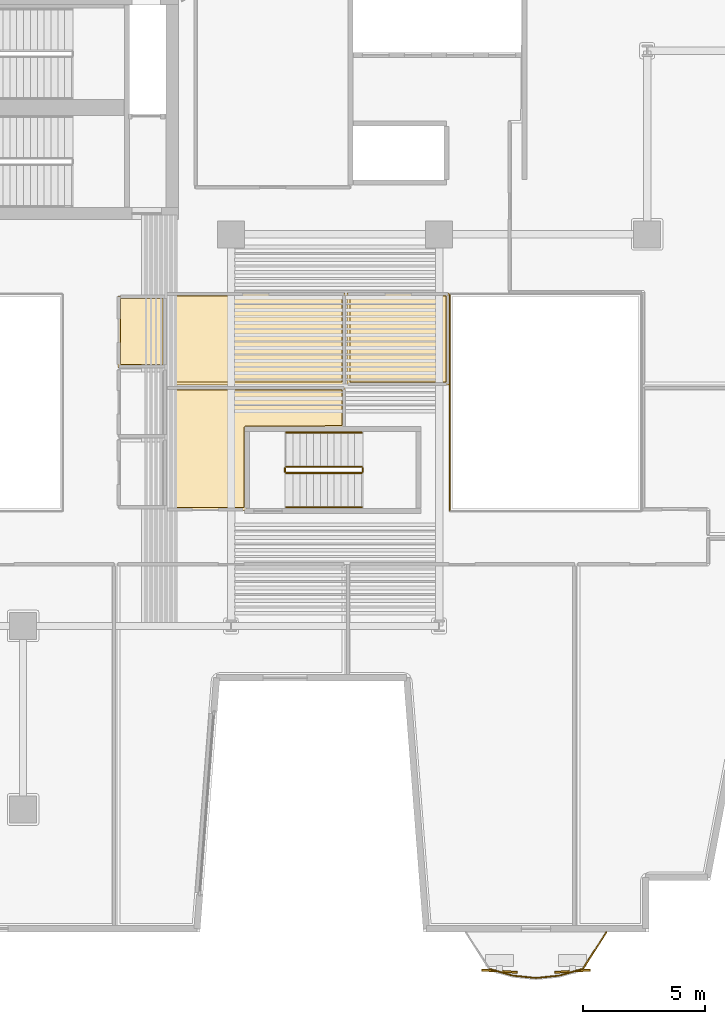
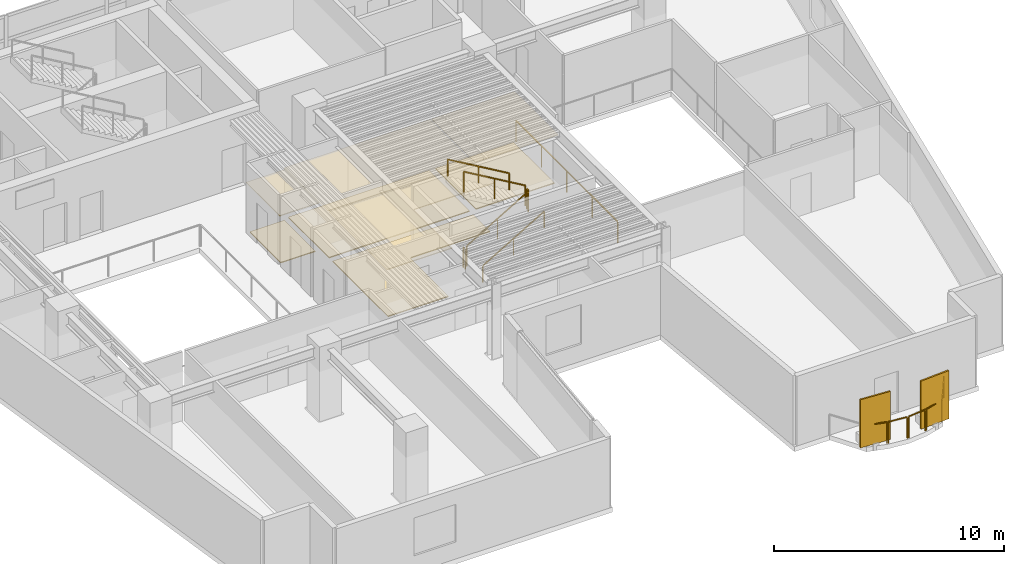
# One storey, part 10 of 13: 12 railings, 8 coverings, 2 shading devices.
"""IFC4 building model written with IfcOpenShell, lengths in metres."""

from ifc_helpers import new_model, si_unit, direction, frame, origin, origin_2d, place, context, subcontext, project, spatial, polyline, rectangle, outline, extrude, material, layer, layer_set, type_object, element, save


model = new_model("IFC4")

# Units and contexts
model_context = context("Model", 3, precision=1e-05, world=origin(), true_north=direction((0.0, 1.0)))
body_context = subcontext(model_context, "Body", "Model", "MODEL_VIEW")
ifc_project = project(units=[si_unit("LENGTHUNIT", "METRE"), si_unit("AREAUNIT", "SQUARE_METRE"), si_unit("VOLUMEUNIT", "CUBIC_METRE"), si_unit("PLANEANGLEUNIT", "RADIAN"), si_unit("MASSUNIT", "GRAM", prefix="KILO")], contexts=[model_context])

# Site, building, storey
site_placement = place(None, origin())
site = spatial("IfcSite", under=ifc_project, at=site_placement, CompositionType="ELEMENT")
building_placement = place(site_placement, origin())
building = spatial("IfcBuilding", under=site, at=building_placement, Name="Caeloran Harvest Quay", CompositionType="ELEMENT")
storey_placement = place(building_placement, frame((0.0, 0.0, 166.699951171875)))
storey = spatial("IfcBuildingStorey", under=building, at=storey_placement, Name="L39", CompositionType="ELEMENT", Elevation=166.699951171875)

# Coverings
ifc_material_1 = material(Name="Perforated Mineral-Fibre Acoustic Ceiling Tile", Category="ceiling")
ifc_layer_1 = layer(ifc_material_1, 0.0400390625, Name="Perforated Mineral-Fibre Acoustic Ceiling Tile")
ifc_layer_set_1 = layer_set([ifc_layer_1], Name="Perforated Mineral-Fibre Acoustic Ceiling Tile")
covering_type_1 = type_object("IfcCoveringType", Name="COV-CEILING-ACOUSTIC", PredefinedType="CEILING", material=ifc_layer_set_1)
covering_1_placement = place(storey_placement, frame((0.0, 0.0, 2.60009765625)))
element("IfcCovering", 1, at=covering_1_placement, inside=storey, type_object=covering_type_1, Name="L39 Male Washroom WC Acoustic Ceiling", PredefinedType="CEILING", context=body_context, shape_type="SweptSolid", body=[
    extrude(outline(polyline([(22.840087890625, 25.56005859375), (20.8701171875, 25.56005859375), (20.8701171875, 28.489990234375), (22.840087890625, 28.489990234375), (22.840087890625, 25.56005859375)])), origin(), (0.0, 0.0, 1.0), 0.0400390625),
])
covering_2_placement = place(storey_placement, frame((0.0, 0.0, 2.60009765625)))
element("IfcCovering", 2, at=covering_2_placement, inside=storey, type_object=covering_type_1, Name="Agro-Finance Summit Conference Hall 8 Acoustic Ceiling", PredefinedType="CEILING", context=body_context, shape_type="SweptSolid", body=[
    extrude(outline(polyline([(26.139892578125, 23.06005859375), (26.139892578125, 19.7099609375), (22.8701171875, 19.7099609375), (22.8701171875, 24.760009765625), (30.159912109375, 24.760009765625), (30.159912109375, 23.06005859375), (26.139892578125, 23.06005859375)])), origin(), (0.0, 0.0, 1.0), 0.0400390625),
])
covering_3_placement = place(storey_placement, frame((0.0, 0.0, 2.60009765625)))
element("IfcCovering", 3, at=covering_3_placement, inside=storey, type_object=covering_type_1, Name="Carbon Credit Seminar Room 9 Acoustic Ceiling", PredefinedType="CEILING", context=body_context, shape_type="SweptSolid", body=[
    extrude(outline(polyline([(22.8701171875, 28.512939453125), (22.85009765625, 28.52001953125), (22.85009765625, 28.610107421875), (30.159912109375, 28.610107421875), (30.159912109375, 24.840087890625), (22.8701171875, 24.840087890625), (22.8701171875, 28.512939453125)])), origin(), (0.0, 0.0, 1.0), 0.0400390625),
])
covering_4_placement = place(storey_placement, frame((0.0, 0.0, 2.60009765625)))
element("IfcCovering", 4, at=covering_4_placement, inside=storey, type_object=covering_type_1, Name="Commodities Briefing Boardroom 10 Acoustic Ceiling", PredefinedType="CEILING", context=body_context, shape_type="SweptSolid", body=[
    extrude(outline(polyline([(30.239990234375, 28.610107421875), (34.409912109375, 28.610107421875), (34.409912109375, 24.840087890625), (30.239990234375, 24.840087890625), (30.239990234375, 28.610107421875)])), origin(), (0.0, 0.0, 1.0), 0.0400390625),
])
ifc_material_2 = material(Name="Calcium-Sulphate Raised Access Floor and Terrazzo Finish", Category="flooring")
ifc_layer_2 = layer(ifc_material_2, 0.050048828125, Name="Calcium-Sulphate Raised Access Floor and Terrazzo Finish")
ifc_layer_set_2 = layer_set([ifc_layer_2], Name="Calcium-Sulphate Raised Access Floor and Terrazzo Finish")
covering_type_2 = type_object("IfcCoveringType", Name="COV-FLOOR-RAISED", PredefinedType="FLOORING", material=ifc_layer_set_2)
covering_5_placement = place(storey_placement, origin())
element("IfcCovering", 5, at=covering_5_placement, inside=storey, type_object=covering_type_2, Name="L39 Male Washroom WC Raised Finish Flooring", PredefinedType="FLOORING", context=body_context, shape_type="SweptSolid", body=[
    extrude(outline(polyline([(22.719970703125, 25.679931640625), (20.989990234375, 25.679931640625), (20.989990234375, 28.3701171875), (22.719970703125, 28.3701171875), (22.719970703125, 25.679931640625)])), origin(), (0.0, 0.0, 1.0), 0.050048828125),
])
covering_6_placement = place(storey_placement, origin())
element("IfcCovering", 6, at=covering_6_placement, inside=storey, type_object=covering_type_2, Name="Agro-Finance Summit Conference Hall 8 Raised Finish Flooring", PredefinedType="FLOORING", context=body_context, shape_type="SweptSolid", body=[
    extrude(outline(polyline([(26.101806640625, 23.17626953125), (26.04248046875, 23.13671875), (26.02001953125, 23.070068359375), (26.02001953125, 19.830078125), (22.989990234375, 19.830078125), (22.989990234375, 24.639892578125), (30.0400390625, 24.639892578125), (30.0400390625, 23.179931640625), (26.101806640625, 23.17626953125)])), origin(), (0.0, 0.0, 1.0), 0.050048828125),
])
covering_7_placement = place(storey_placement, origin())
element("IfcCovering", 7, at=covering_7_placement, inside=storey, type_object=covering_type_2, Name="Carbon Credit Seminar Room 9 Raised Finish Flooring", PredefinedType="FLOORING", context=body_context, shape_type="SweptSolid", body=[
    extrude(outline(polyline([(22.989990234375, 28.489990234375), (30.0400390625, 28.489990234375), (30.0400390625, 24.9599609375), (22.989990234375, 24.9599609375), (22.989990234375, 28.489990234375)])), origin(), (0.0, 0.0, 1.0), 0.050048828125),
])
covering_8_placement = place(storey_placement, origin())
element("IfcCovering", 8, at=covering_8_placement, inside=storey, type_object=covering_type_2, Name="Commodities Briefing Boardroom 10 Raised Finish Flooring", PredefinedType="FLOORING", context=body_context, shape_type="SweptSolid", body=[
    extrude(outline(polyline([(30.360107421875, 28.489990234375), (34.2900390625, 28.489990234375), (34.2900390625, 24.9599609375), (30.360107421875, 24.9599609375), (30.360107421875, 28.489990234375)])), origin(), (0.0, 0.0, 1.0), 0.050048828125),
])

# Railings
ifc_material_3 = material(Name="Powder-Coated Steel Post and Laminated Glass Guardrail", Category="steel")
ifc_layer_3 = layer(ifc_material_3, 0.06005859375, Name="Powder-Coated Steel Post and Laminated Glass Guardrail")
ifc_layer_set_3 = layer_set([ifc_layer_3], Name="Powder-Coated Steel Post and Laminated Glass Guardrail")
railing_type_1 = type_object("IfcRailingType", Name="GUARD-ATRIUM-1150", PredefinedType="GUARDRAIL", material=ifc_layer_set_3)
railing_1_placement = place(storey_placement, frame((34.429931640625, 28.5380859375, 0.0)))
element("IfcRailing", 9, at=railing_1_placement, inside=storey, type_object=railing_type_1, Name="L39 East Botanical Lightwell Guardrail Seg 4", PredefinedType="GUARDRAIL", context=body_context, shape_type="SweptSolid", body=[
    extrude(rectangle(XDim=0.048095703125, YDim=0.048095703125, at=origin_2d()), frame((0.0, 0.0, 1.1259765625), z_axis=(0.0, -1.0, 0.0), x_axis=(1.0, 0.0, 0.0)), (0.0, 0.0, 1.0), 8.826171875),
    extrude(rectangle(XDim=0.0419921875, YDim=0.0419921875, at=origin_2d()), origin(), (0.0, 0.0, 1.0), 1.101806640625),
    extrude(rectangle(XDim=0.0419921875, YDim=0.0419921875, at=origin_2d()), frame((0.0, -2.20654296875, 0.0)), (0.0, 0.0, 1.0), 1.101806640625),
    extrude(rectangle(XDim=0.0419921875, YDim=0.0419921875, at=origin_2d()), frame((0.0, -4.4130859375, 0.0)), (0.0, 0.0, 1.0), 1.101806640625),
    extrude(rectangle(XDim=0.0419921875, YDim=0.0419921875, at=origin_2d()), frame((0.0, -6.61962890625, 0.0)), (0.0, 0.0, 1.0), 1.101806640625),
    extrude(rectangle(XDim=0.0419921875, YDim=0.0419921875, at=origin_2d()), frame((0.0, -8.826171875, 0.0)), (0.0, 0.0, 1.0), 1.101806640625),
])
ifc_material_4 = material(Name="Laminated Safety Glass and Stainless Steel 316", Category="steel")
ifc_layer_4 = layer(ifc_material_4, 0.06005859375, Name="Laminated Safety Glass and Stainless Steel 316")
ifc_layer_set_4 = layer_set([ifc_layer_4], Name="Laminated Safety Glass and Stainless Steel 316")
railing_type_2 = type_object("IfcRailingType", Name="GUARD-BALUSTRADE-1150", PredefinedType="BALUSTRADE", material=ifc_layer_set_4)
railing_2_placement = place(storey_placement, frame((40.825927734375, 2.47998046875, 0.0)))
element("IfcRailing", 10, at=railing_2_placement, inside=storey, type_object=railing_type_2, Name="L39 Planted Balcony Perimeter Balustrade Guard Seg 1", PredefinedType="BALUSTRADE", context=body_context, shape_type="SweptSolid", body=[
    extrude(rectangle(XDim=0.048095703125, YDim=0.048095703125, at=origin_2d()), frame((0.0, 0.0, 1.1259765625), z_axis=(-0.539296460879, -0.842115982085, 0.0), x_axis=(0.842115982085, -0.539296460879, 0.0)), (0.0, 0.0, 1.0), 1.74072265625),
    extrude(rectangle(XDim=0.0419921875, YDim=0.0419921875, at=origin_2d()), origin(), (0.0, 0.0, 1.0), 1.101806640625),
    extrude(rectangle(XDim=0.0419921875, YDim=0.0419921875, at=origin_2d()), frame((-0.938720703125, -1.4658203125, 0.0)), (0.0, 0.0, 1.0), 1.101806640625),
])
railing_3_placement = place(storey_placement, frame((39.839111328125, 0.978515625, 0.0)))
element("IfcRailing", 11, at=railing_3_placement, inside=storey, type_object=railing_type_2, Name="L39 Planted Balcony Perimeter Balustrade Guard Seg 2", PredefinedType="BALUSTRADE", context=body_context, shape_type="SweptSolid", body=[
    extrude(rectangle(XDim=0.048095703125, YDim=0.048095703125, at=origin_2d()), frame((0.0, 0.0, 1.1259765625), z_axis=(-0.961514044301, -0.274755787222, 0.0), x_axis=(0.274755787222, -0.961514044301, 0.0)), (0.0, 0.0, 1.0), 0.930419921875),
    extrude(rectangle(XDim=0.0419921875, YDim=0.0419921875, at=origin_2d()), origin(), (0.0, 0.0, 1.0), 1.101806640625),
    extrude(rectangle(XDim=0.0419921875, YDim=0.0419921875, at=origin_2d()), frame((-0.89453125, -0.255615234375, 0.0)), (0.0, 0.0, 1.0), 1.101806640625),
])
railing_4_placement = place(storey_placement, frame((38.8818359375, 0.7109375, 0.0)))
element("IfcRailing", 12, at=railing_4_placement, inside=storey, type_object=railing_type_2, Name="L39 Planted Balcony Perimeter Balustrade Guard Seg 3", PredefinedType="BALUSTRADE", context=body_context, shape_type="SweptSolid", body=[
    extrude(rectangle(XDim=0.048095703125, YDim=0.048095703125, at=origin_2d()), frame((0.0, 0.0, 1.1259765625), z_axis=(-0.994585653551, -0.103920054611, 0.0), x_axis=(0.103920054611, -0.994585653551, 0.0)), (0.0, 0.0, 1.0), 0.8974609375),
    extrude(rectangle(XDim=0.0419921875, YDim=0.0419921875, at=origin_2d()), origin(), (0.0, 0.0, 1.0), 1.101806640625),
    extrude(rectangle(XDim=0.0419921875, YDim=0.0419921875, at=origin_2d()), frame((-0.892578125, -0.09326171875, 0.0)), (0.0, 0.0, 1.0), 1.101806640625),
])
railing_5_placement = place(storey_placement, frame((37.92578125, 0.61767578125, 0.0)))
element("IfcRailing", 13, at=railing_5_placement, inside=storey, type_object=railing_type_2, Name="L39 Planted Balcony Perimeter Balustrade Guard Seg 4", PredefinedType="BALUSTRADE", context=body_context, shape_type="SweptSolid", body=[
    extrude(rectangle(XDim=0.048095703125, YDim=0.048095703125, at=origin_2d()), frame((0.0, 0.0, 1.1259765625), z_axis=(-0.994585653551, 0.103920054611, 0.0), x_axis=(-0.103920054611, -0.994585653551, 0.0)), (0.0, 0.0, 1.0), 0.8974609375),
    extrude(rectangle(XDim=0.0419921875, YDim=0.0419921875, at=origin_2d()), origin(), (0.0, 0.0, 1.0), 1.101806640625),
    extrude(rectangle(XDim=0.0419921875, YDim=0.0419921875, at=origin_2d()), frame((-0.892578125, 0.09326171875, 0.0)), (0.0, 0.0, 1.0), 1.101806640625),
])
railing_6_placement = place(storey_placement, frame((36.970458984375, 0.722900390625, 0.0)))
element("IfcRailing", 14, at=railing_6_placement, inside=storey, type_object=railing_type_2, Name="L39 Planted Balcony Perimeter Balustrade Guard Seg 5", PredefinedType="BALUSTRADE", context=body_context, shape_type="SweptSolid", body=[
    extrude(rectangle(XDim=0.048095703125, YDim=0.048095703125, at=origin_2d()), frame((0.0, 0.0, 1.1259765625), z_axis=(-0.961514044301, 0.274755787222, 0.0), x_axis=(-0.274755787222, -0.961514044301, 0.0)), (0.0, 0.0, 1.0), 0.930419921875),
    extrude(rectangle(XDim=0.0419921875, YDim=0.0419921875, at=origin_2d()), origin(), (0.0, 0.0, 1.0), 1.101806640625),
    extrude(rectangle(XDim=0.0419921875, YDim=0.0419921875, at=origin_2d()), frame((-0.89453125, 0.255615234375, 0.0)), (0.0, 0.0, 1.0), 1.101806640625),
])

# Shading devices
ifc_material_5 = material(Name="3003-H14 Perforated Powder-Coated Aluminium", Category="aluminium")
shading_device_type = type_object("IfcShadingDeviceType", Name="SHADE-SCREEN-FOLDED", PredefinedType="USERDEFINED", material=ifc_material_5)
for number, where, z_axis, x_axis, name in (
    (15, (39.44921875, 0.8935546875, 0.0751953125), (0.0, 0.0, 1.0), (0.997801468292, 0.0662739004, 0.0), "L39 Folded Facade Breathing Screen 1"),
    (16, (36.4658203125, 0.8935546875, 0.0751953125), (0.0, 0.0, 1.0), (0.997801468292, -0.0662739004, 0.0), "L39 Folded Facade Breathing Screen 2"),
):
    element("IfcShadingDevice", number, at=place(storey_placement, frame(where, z_axis=z_axis, x_axis=x_axis)), inside=storey, type_object=shading_device_type, Name=name, ObjectType="SCREEN", PredefinedType="USERDEFINED", context=body_context, shape_type="SweptSolid", body=[
        extrude(rectangle(XDim=1.449951171875, YDim=0.080078125, at=origin_2d()), origin(), (0.0, 0.0, 1.0), 2.550048828125),
    ])

# Railings
ifc_material_6 = material(Name="Painted Steel Baluster and Top-Rail Stair Guard", Category="steel")
ifc_layer_5 = layer(ifc_material_6, 0.050048828125, Name="Painted Steel Baluster and Top-Rail Stair Guard")
ifc_layer_set_5 = layer_set([ifc_layer_5], Name="Painted Steel Baluster and Top-Rail Stair Guard")
railing_type_3 = type_object("IfcRailingType", Name="STAIR-GUARD-1100", PredefinedType="GUARDRAIL", material=ifc_layer_set_5)
railing_7_placement = place(storey_placement, frame((27.75, 21.25, 0.16455078125)))
element("IfcRailing", 17, at=railing_7_placement, inside=storey, type_object=railing_type_3, Name="L39 ST-W1 stair guard 1", PredefinedType="GUARDRAIL", context=body_context, shape_type="SweptSolid", body=[
    extrude(rectangle(XDim=0.048095703125, YDim=0.048095703125, at=origin_2d()), frame((0.0, 0.0, 1.076171875), z_axis=(0.862088758681, 0.0, 0.506757310905), x_axis=(0.0, 1.0, 0.0)), (0.0, 0.0, 1.0), 3.57275390625),
    extrude(rectangle(XDim=0.0419921875, YDim=0.0419921875, at=origin_2d()), origin(), (0.0, 0.0, 1.0), 1.052001953125),
    extrude(rectangle(XDim=0.0419921875, YDim=0.0419921875, at=origin_2d()), frame((1.5400390625, 0.0, 0.9052734375)), (0.0, 0.0, 1.0), 1.052001953125),
    extrude(rectangle(XDim=0.0419921875, YDim=0.0419921875, at=origin_2d()), frame((3.080078125, 0.0, 1.810546875)), (0.0, 0.0, 1.0), 1.052001953125),
])
railing_8_placement = place(storey_placement, frame((30.8798828125, 21.300048828125, 1.97509765625)))
element("IfcRailing", 18, at=railing_8_placement, inside=storey, type_object=railing_type_3, Name="L39 ST-W1 stair guard 2", PredefinedType="GUARDRAIL", context=body_context, shape_type="SweptSolid", body=[
    extrude(rectangle(XDim=0.048095703125, YDim=0.048095703125, at=origin_2d()), frame((0.0, 0.0, 1.076171875), z_axis=(0.0, 1.0, 0.0), x_axis=(-1.0, 0.0, 0.0)), (0.0, 0.0, 1.0), 0.14990234375),
    extrude(rectangle(XDim=0.0419921875, YDim=0.0419921875, at=origin_2d()), origin(), (0.0, 0.0, 1.0), 1.052001953125),
    extrude(rectangle(XDim=0.0419921875, YDim=0.0419921875, at=origin_2d()), frame((0.0, 0.14990234375, 0.0)), (0.0, 0.0, 1.0), 1.052001953125),
])
railing_9_placement = place(storey_placement, frame((30.830078125, 21.5, 2.1396484375)))
element("IfcRailing", 19, at=railing_9_placement, inside=storey, type_object=railing_type_3, Name="L39 ST-W1 stair guard 3", PredefinedType="GUARDRAIL", context=body_context, shape_type="SweptSolid", body=[
    extrude(rectangle(XDim=0.048095703125, YDim=0.048095703125, at=origin_2d()), frame((0.0, 0.0, 1.076171875), z_axis=(-0.862118610829, 0.0, 0.506706523406), x_axis=(0.0, -1.0, 0.0)), (0.0, 0.0, 1.0), 3.57275390625),
    extrude(rectangle(XDim=0.0419921875, YDim=0.0419921875, at=origin_2d()), origin(), (0.0, 0.0, 1.0), 1.052001953125),
    extrude(rectangle(XDim=0.0419921875, YDim=0.0419921875, at=origin_2d()), frame((-1.5400390625, 0.0, 0.9052734375)), (0.0, 0.0, 1.0), 1.052001953125),
    extrude(rectangle(XDim=0.0419921875, YDim=0.0419921875, at=origin_2d()), frame((-3.080078125, 0.0, 1.810302734375)), (0.0, 0.0, 1.0), 1.052001953125),
])
railing_10_placement = place(storey_placement, frame((27.699951171875, 21.300048828125, 0.0)))
element("IfcRailing", 20, at=railing_10_placement, inside=storey, type_object=railing_type_3, Name="L39 ST-W1 stair guard 4", PredefinedType="GUARDRAIL", context=body_context, shape_type="SweptSolid", body=[
    extrude(rectangle(XDim=0.048095703125, YDim=0.048095703125, at=origin_2d()), frame((0.0, 0.0, 1.076171875), z_axis=(0.0, 1.0, 0.0), x_axis=(-1.0, 0.0, 0.0)), (0.0, 0.0, 1.0), 0.14990234375),
    extrude(rectangle(XDim=0.0419921875, YDim=0.0419921875, at=origin_2d()), origin(), (0.0, 0.0, 1.0), 1.052001953125),
    extrude(rectangle(XDim=0.0419921875, YDim=0.0419921875, at=origin_2d()), frame((0.0, 0.14990234375, 0.0)), (0.0, 0.0, 1.0), 1.052001953125),
])
ifc_material_7 = material(Name="Brushed Stainless Steel Grade 304", Category="steel")
ifc_layer_6 = layer(ifc_material_7, 0.050048828125, Name="Brushed Stainless Steel Grade 304")
ifc_layer_set_6 = layer_set([ifc_layer_6], Name="Brushed Stainless Steel Grade 304")
railing_type_4 = type_object("IfcRailingType", Name="STAIR-HANDRAIL-900", PredefinedType="HANDRAIL", material=ifc_layer_set_6)
railing_11_placement = place(storey_placement, frame((27.75, 19.85009765625, 0.16455078125)))
element("IfcRailing", 21, at=railing_11_placement, inside=storey, type_object=railing_type_4, Name="L39 ST-W1 stair handrail 1", PredefinedType="HANDRAIL", context=body_context, shape_type="SweptSolid", body=[
    extrude(rectangle(XDim=0.048095703125, YDim=0.048095703125, at=origin_2d()), frame((0.0, 0.0, 0.8759765625), z_axis=(0.862088758681, 0.0, 0.506757310905), x_axis=(0.0, 1.0, 0.0)), (0.0, 0.0, 1.0), 3.57275390625),
    extrude(rectangle(XDim=0.0419921875, YDim=0.0419921875, at=origin_2d()), origin(), (0.0, 0.0, 1.0), 0.851806640625),
    extrude(rectangle(XDim=0.0419921875, YDim=0.0419921875, at=origin_2d()), frame((1.5400390625, 0.0, 0.9052734375)), (0.0, 0.0, 1.0), 0.851806640625),
    extrude(rectangle(XDim=0.0419921875, YDim=0.0419921875, at=origin_2d()), frame((3.080078125, 0.0, 1.810546875)), (0.0, 0.0, 1.0), 0.851806640625),
])
railing_12_placement = place(storey_placement, frame((30.830078125, 22.89990234375, 2.1396484375)))
element("IfcRailing", 22, at=railing_12_placement, inside=storey, type_object=railing_type_4, Name="L39 ST-W1 stair handrail 2", PredefinedType="HANDRAIL", context=body_context, shape_type="SweptSolid", body=[
    extrude(rectangle(XDim=0.048095703125, YDim=0.048095703125, at=origin_2d()), frame((0.0, 0.0, 0.8759765625), z_axis=(-0.862118610829, 0.0, 0.506706523406), x_axis=(0.0, -1.0, 0.0)), (0.0, 0.0, 1.0), 3.57275390625),
    extrude(rectangle(XDim=0.0419921875, YDim=0.0419921875, at=origin_2d()), origin(), (0.0, 0.0, 1.0), 0.851806640625),
    extrude(rectangle(XDim=0.0419921875, YDim=0.0419921875, at=origin_2d()), frame((-1.5400390625, 0.0, 0.9052734375)), (0.0, 0.0, 1.0), 0.851806640625),
    extrude(rectangle(XDim=0.0419921875, YDim=0.0419921875, at=origin_2d()), frame((-3.080078125, 0.0, 1.810302734375)), (0.0, 0.0, 1.0), 0.851806640625),
])

save(model, "model.ifc")
